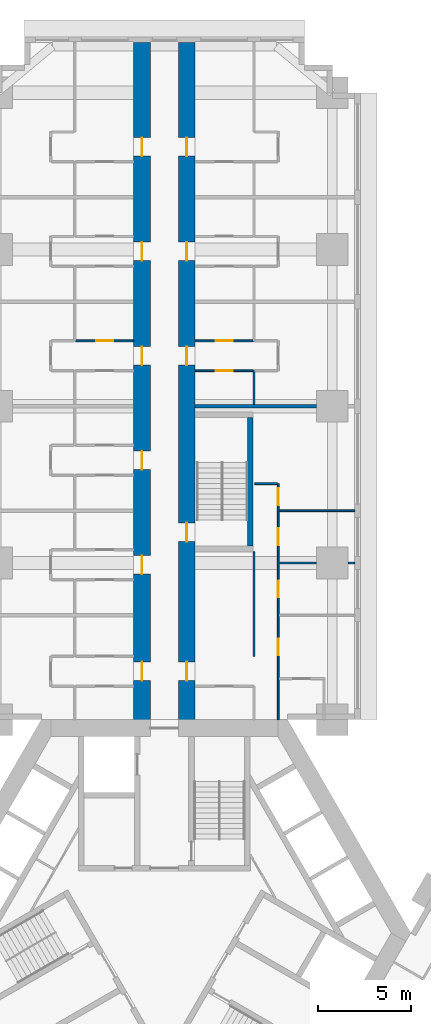
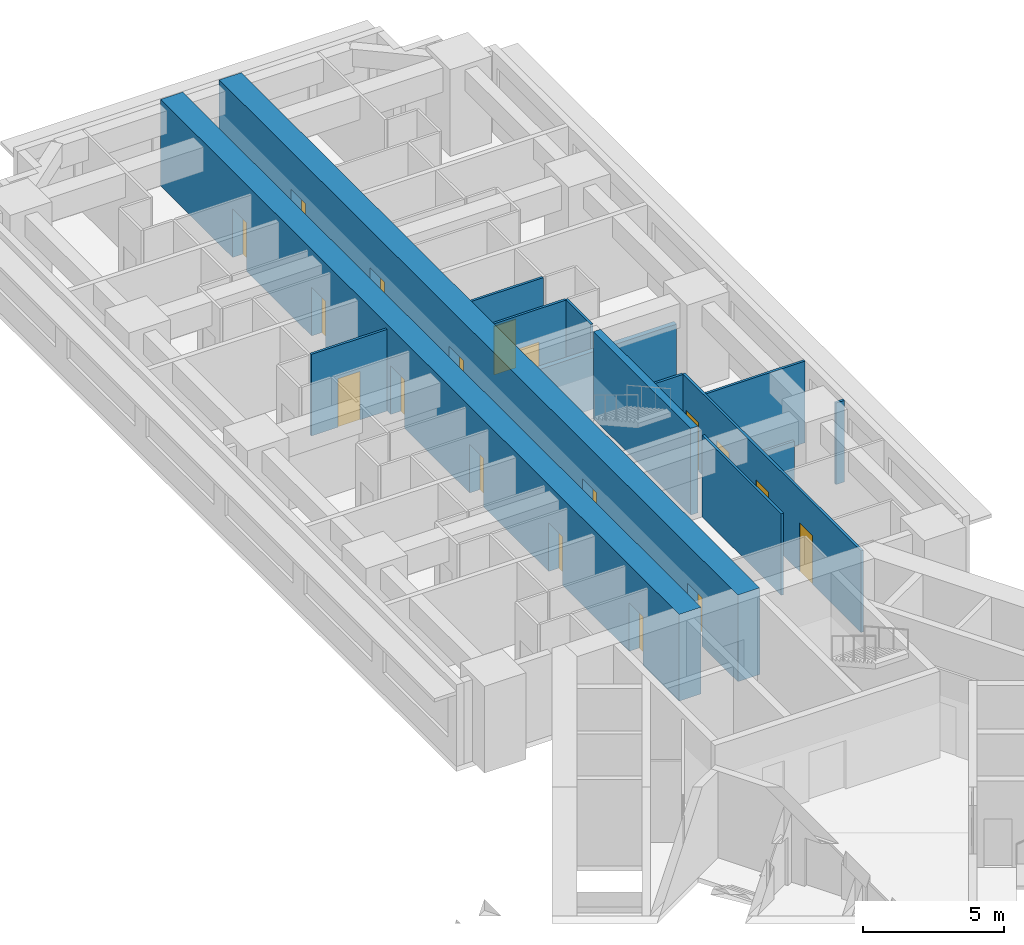
# One storey, part 10 of 17: 18 doors, 14 walls, 18 openings.
"""IFC4 building model written with IfcOpenShell, lengths in metres."""

from ifc_helpers import new_model, si_unit, direction, frame, frame_2d, origin, place, context, subcontext, project, spatial, rectangle, extrude, material, layer, layer_set, type_object, element, fill, save


model = new_model("IFC4")

# Units and contexts
model_context = context("Model", 3, precision=1e-05, world=origin(), true_north=direction((0.0, 1.0)))
body_context = subcontext(model_context, "Body", "Model", "MODEL_VIEW")
ifc_project = project(units=[si_unit("LENGTHUNIT", "METRE"), si_unit("AREAUNIT", "SQUARE_METRE"), si_unit("VOLUMEUNIT", "CUBIC_METRE"), si_unit("PLANEANGLEUNIT", "RADIAN"), si_unit("MASSUNIT", "GRAM", prefix="KILO")], contexts=[model_context])

# Site, building, storey
site_placement = place(None, origin())
site = spatial("IfcSite", under=ifc_project, at=site_placement, CompositionType="ELEMENT")
building_placement = place(site_placement, origin())
building = spatial("IfcBuilding", under=site, at=building_placement, Name="Impinga Residences", CompositionType="ELEMENT")
storey_placement = place(building_placement, frame((0.0, 0.0, 33.5)))
storey = spatial("IfcBuildingStorey", under=building, at=storey_placement, Name="L07", CompositionType="ELEMENT", Elevation=33.5)

# Wall, openings, doors
ifc_material_1 = material(Name="Concrete C70/85", Category="concrete")
ifc_layer_1 = layer(ifc_material_1, 0.89990234375)
ifc_layer_set_1 = layer_set([ifc_layer_1], Name="Concrete C70/85")
wall_type_1 = type_object("IfcWallType", Name="BW1 corridor buttress wall, L05 to L22 900", PredefinedType="SHEAR", material=ifc_layer_set_1)
wall_1_placement = place(storey_placement, frame((-1.199951171875, 10.9814453125, 0.0), z_axis=(0.0, 0.0, 1.0), x_axis=(0.0, 1.0, 0.0)))
wall_1 = element("IfcWall", 1, at=wall_1_placement, inside=storey, type_object=wall_type_1, Name="Corridor wall BW1 NC L07", PredefinedType="SHEAR", context=body_context, shape_type="SweptSolid", body=[
    extrude(rectangle(XDim=36.75, YDim=0.89990234375, at=frame_2d((18.375, 0.0))), origin(), (0.0, 0.0, 1.0), 3.75),
])
opening_1_placement = place(wall_1_placement, frame((2.550048828125, 0.0, 0.0)))
opening_1 = element("IfcOpeningElement", 2, at=opening_1_placement, cuts=wall_1, Name="Opening D1", PredefinedType="OPENING", context=body_context, shape_type="SweptSolid", body=[
    extrude(rectangle(XDim=1.0, YDim=2.10009765625, at=frame_2d((0.5, 1.050048828125))), frame((0.0, 0.4599609375, 0.0), z_axis=(0.0, -1.0, 0.0), x_axis=(1.0, 0.0, 0.0)), (0.0, 0.0, 1.0), 0.919921875),
])
opening_2_placement = place(wall_1_placement, frame((8.25, 0.0, 0.0)))
opening_2 = element("IfcOpeningElement", 3, at=opening_2_placement, cuts=wall_1, Name="Opening D1", PredefinedType="OPENING", context=body_context, shape_type="SweptSolid", body=[
    extrude(rectangle(XDim=1.0, YDim=2.10009765625, at=frame_2d((0.5, 1.050048828125))), frame((0.0, 0.4599609375, 0.0), z_axis=(0.0, -1.0, 0.0), x_axis=(1.0, 0.0, 0.0)), (0.0, 0.0, 1.0), 0.919921875),
])
opening_3_placement = place(wall_1_placement, frame((13.85009765625, 0.0, 0.0)))
opening_3 = element("IfcOpeningElement", 4, at=opening_3_placement, cuts=wall_1, Name="Opening D1", PredefinedType="OPENING", context=body_context, shape_type="SweptSolid", body=[
    extrude(rectangle(XDim=1.0, YDim=2.10009765625, at=frame_2d((0.5, 1.050048828125))), frame((0.0, 0.4599609375, 0.0), z_axis=(0.0, -1.0, 0.0), x_axis=(1.0, 0.0, 0.0)), (0.0, 0.0, 1.0), 0.919921875),
])
opening_4_placement = place(wall_1_placement, frame((19.449951171875, 0.0, 0.0)))
opening_4 = element("IfcOpeningElement", 5, at=opening_4_placement, cuts=wall_1, Name="Opening D1", PredefinedType="OPENING", context=body_context, shape_type="SweptSolid", body=[
    extrude(rectangle(XDim=1.0, YDim=2.10009765625, at=frame_2d((0.5, 1.050048828125))), frame((0.0, 0.4599609375, 0.0), z_axis=(0.0, -1.0, 0.0), x_axis=(1.0, 0.0, 0.0)), (0.0, 0.0, 1.0), 0.919921875),
])
opening_5_placement = place(wall_1_placement, frame((25.050048828125, 0.0, 0.0)))
opening_5 = element("IfcOpeningElement", 6, at=opening_5_placement, cuts=wall_1, Name="Opening D1", PredefinedType="OPENING", context=body_context, shape_type="SweptSolid", body=[
    extrude(rectangle(XDim=1.0, YDim=2.10009765625, at=frame_2d((0.5, 1.050048828125))), frame((0.0, 0.4599609375, 0.0), z_axis=(0.0, -1.0, 0.0), x_axis=(1.0, 0.0, 0.0)), (0.0, 0.0, 1.0), 0.919921875),
])
opening_6_placement = place(wall_1_placement, frame((30.64990234375, 0.0, 0.0)))
opening_6 = element("IfcOpeningElement", 7, at=opening_6_placement, cuts=wall_1, Name="Opening D1", PredefinedType="OPENING", context=body_context, shape_type="SweptSolid", body=[
    extrude(rectangle(XDim=1.0, YDim=2.10009765625, at=frame_2d((0.5, 1.050048828125))), frame((0.0, 0.4599609375, 0.0), z_axis=(0.0, -1.0, 0.0), x_axis=(1.0, 0.0, 0.0)), (0.0, 0.0, 1.0), 0.919921875),
])
ifc_material_2 = material(Name="Timber door set", Category="wood")
door_type_1 = type_object("IfcDoorType", Name="D1 apartment entrance door 1000x2100", OperationType="SINGLE_SWING_LEFT", PredefinedType="DOOR", material=ifc_material_2)
door_1_placement = place(opening_1_placement, origin())
door_1 = element("IfcDoor", 8, at=door_1_placement, inside=storey, type_object=door_type_1, Name="Apartment L07-NA1 entrance", OperationType="SINGLE_SWING_LEFT", OverallHeight=2.10009765625, OverallWidth=1.0, PredefinedType="DOOR", context=body_context, shape_type="SweptSolid", body=[
    extrude(rectangle(XDim=1.0, YDim=2.10009765625, at=frame_2d((0.5, 1.050048828125))), frame((0.0, 0.02490234375, 0.0), z_axis=(0.0, -1.0, 0.0), x_axis=(1.0, 0.0, 0.0)), (0.0, 0.0, 1.0), 0.050048828125),
])
fill(opening_1, door_1)
door_2_placement = place(opening_2_placement, origin())
door_2 = element("IfcDoor", 9, at=door_2_placement, inside=storey, type_object=door_type_1, Name="Apartment L07-NA2 entrance", OperationType="SINGLE_SWING_LEFT", OverallHeight=2.10009765625, OverallWidth=1.0, PredefinedType="DOOR", context=body_context, shape_type="SweptSolid", body=[
    extrude(rectangle(XDim=1.0, YDim=2.10009765625, at=frame_2d((0.5, 1.050048828125))), frame((0.0, 0.02490234375, 0.0), z_axis=(0.0, -1.0, 0.0), x_axis=(1.0, 0.0, 0.0)), (0.0, 0.0, 1.0), 0.050048828125),
])
fill(opening_2, door_2)
door_3_placement = place(opening_3_placement, origin())
door_3 = element("IfcDoor", 10, at=door_3_placement, inside=storey, type_object=door_type_1, Name="Apartment L07-NA3 entrance", OperationType="SINGLE_SWING_LEFT", OverallHeight=2.10009765625, OverallWidth=1.0, PredefinedType="DOOR", context=body_context, shape_type="SweptSolid", body=[
    extrude(rectangle(XDim=1.0, YDim=2.10009765625, at=frame_2d((0.5, 1.050048828125))), frame((0.0, 0.02490234375, 0.0), z_axis=(0.0, -1.0, 0.0), x_axis=(1.0, 0.0, 0.0)), (0.0, 0.0, 1.0), 0.050048828125),
])
fill(opening_3, door_3)
door_4_placement = place(opening_4_placement, origin())
door_4 = element("IfcDoor", 11, at=door_4_placement, inside=storey, type_object=door_type_1, Name="Apartment L07-NA4 entrance", OperationType="SINGLE_SWING_RIGHT", OverallHeight=2.10009765625, OverallWidth=1.0, PredefinedType="DOOR", context=body_context, shape_type="SweptSolid", body=[
    extrude(rectangle(XDim=1.0, YDim=2.10009765625, at=frame_2d((0.5, 1.050048828125))), frame((0.0, 0.02490234375, 0.0), z_axis=(0.0, -1.0, 0.0), x_axis=(1.0, 0.0, 0.0)), (0.0, 0.0, 1.0), 0.050048828125),
])
fill(opening_4, door_4)
door_5_placement = place(opening_5_placement, origin())
door_5 = element("IfcDoor", 12, at=door_5_placement, inside=storey, type_object=door_type_1, Name="Apartment L07-NA5 entrance", OperationType="SINGLE_SWING_RIGHT", OverallHeight=2.10009765625, OverallWidth=1.0, PredefinedType="DOOR", context=body_context, shape_type="SweptSolid", body=[
    extrude(rectangle(XDim=1.0, YDim=2.10009765625, at=frame_2d((0.5, 1.050048828125))), frame((0.0, 0.02490234375, 0.0), z_axis=(0.0, -1.0, 0.0), x_axis=(1.0, 0.0, 0.0)), (0.0, 0.0, 1.0), 0.050048828125),
])
fill(opening_5, door_5)
door_6_placement = place(opening_6_placement, origin())
door_6 = element("IfcDoor", 13, at=door_6_placement, inside=storey, type_object=door_type_1, Name="Apartment L07-NA6 entrance", OperationType="SINGLE_SWING_RIGHT", OverallHeight=2.10009765625, OverallWidth=1.0, PredefinedType="DOOR", context=body_context, shape_type="SweptSolid", body=[
    extrude(rectangle(XDim=1.0, YDim=2.10009765625, at=frame_2d((0.5, 1.050048828125))), frame((0.0, 0.02490234375, 0.0), z_axis=(0.0, -1.0, 0.0), x_axis=(1.0, 0.0, 0.0)), (0.0, 0.0, 1.0), 0.050048828125),
])
fill(opening_6, door_6)

wall_2_placement = place(storey_placement, frame((1.199951171875, 10.9814453125, 0.0), z_axis=(0.0, 0.0, 1.0), x_axis=(0.0, 1.0, 0.0)))
wall_2 = element("IfcWall", 14, at=wall_2_placement, inside=storey, type_object=wall_type_1, Name="Corridor wall BW1 ND L07", PredefinedType="SHEAR", context=body_context, shape_type="SweptSolid", body=[
    extrude(rectangle(XDim=36.75, YDim=0.89990234375, at=frame_2d((18.375, 0.0))), origin(), (0.0, 0.0, 1.0), 3.75),
])
opening_7_placement = place(wall_2_placement, frame((10.0, 0.0, 0.0)))
opening_7 = element("IfcOpeningElement", 15, at=opening_7_placement, cuts=wall_2, Name="Opening D5", PredefinedType="OPENING", context=body_context, shape_type="SweptSolid", body=[
    extrude(rectangle(XDim=1.0, YDim=2.10009765625, at=frame_2d((0.5, 1.050048828125))), frame((0.0, 0.4599609375, 0.0), z_axis=(0.0, -1.0, 0.0), x_axis=(1.0, 0.0, 0.0)), (0.0, 0.0, 1.0), 0.919921875),
])
opening_8_placement = place(wall_2_placement, frame((2.550048828125, 0.0, 0.0)))
opening_8 = element("IfcOpeningElement", 16, at=opening_8_placement, cuts=wall_2, Name="Opening D1", PredefinedType="OPENING", context=body_context, shape_type="SweptSolid", body=[
    extrude(rectangle(XDim=1.0, YDim=2.10009765625, at=frame_2d((0.5, 1.050048828125))), frame((0.0, 0.4599609375, 0.0), z_axis=(0.0, -1.0, 0.0), x_axis=(1.0, 0.0, 0.0)), (0.0, 0.0, 1.0), 0.919921875),
])
opening_9_placement = place(wall_2_placement, frame((19.449951171875, 0.0, 0.0)))
opening_9 = element("IfcOpeningElement", 17, at=opening_9_placement, cuts=wall_2, Name="Opening D1", PredefinedType="OPENING", context=body_context, shape_type="SweptSolid", body=[
    extrude(rectangle(XDim=1.0, YDim=2.10009765625, at=frame_2d((0.5, 1.050048828125))), frame((0.0, 0.4599609375, 0.0), z_axis=(0.0, -1.0, 0.0), x_axis=(1.0, 0.0, 0.0)), (0.0, 0.0, 1.0), 0.919921875),
])
opening_10_placement = place(wall_2_placement, frame((25.050048828125, 0.0, 0.0)))
opening_10 = element("IfcOpeningElement", 18, at=opening_10_placement, cuts=wall_2, Name="Opening D1", PredefinedType="OPENING", context=body_context, shape_type="SweptSolid", body=[
    extrude(rectangle(XDim=1.0, YDim=2.10009765625, at=frame_2d((0.5, 1.050048828125))), frame((0.0, 0.4599609375, 0.0), z_axis=(0.0, -1.0, 0.0), x_axis=(1.0, 0.0, 0.0)), (0.0, 0.0, 1.0), 0.919921875),
])
opening_11_placement = place(wall_2_placement, frame((30.64990234375, 0.0, 0.0)))
opening_11 = element("IfcOpeningElement", 19, at=opening_11_placement, cuts=wall_2, Name="Opening D1", PredefinedType="OPENING", context=body_context, shape_type="SweptSolid", body=[
    extrude(rectangle(XDim=1.0, YDim=2.10009765625, at=frame_2d((0.5, 1.050048828125))), frame((0.0, 0.4599609375, 0.0), z_axis=(0.0, -1.0, 0.0), x_axis=(1.0, 0.0, 0.0)), (0.0, 0.0, 1.0), 0.919921875),
])
door_7_placement = place(opening_8_placement, origin())
door_7 = element("IfcDoor", 20, at=door_7_placement, inside=storey, type_object=door_type_1, Name="Apartment L07-NF1 entrance", OperationType="SINGLE_SWING_LEFT", OverallHeight=2.10009765625, OverallWidth=1.0, PredefinedType="DOOR", context=body_context, shape_type="SweptSolid", body=[
    extrude(rectangle(XDim=1.0, YDim=2.10009765625, at=frame_2d((0.5, 1.050048828125))), frame((0.0, 0.02490234375, 0.0), z_axis=(0.0, -1.0, 0.0), x_axis=(1.0, 0.0, 0.0)), (0.0, 0.0, 1.0), 0.050048828125),
])
fill(opening_8, door_7)
door_8_placement = place(opening_9_placement, origin())
door_8 = element("IfcDoor", 21, at=door_8_placement, inside=storey, type_object=door_type_1, Name="Apartment L07-NF2 entrance", OperationType="SINGLE_SWING_RIGHT", OverallHeight=2.10009765625, OverallWidth=1.0, PredefinedType="DOOR", context=body_context, shape_type="SweptSolid", body=[
    extrude(rectangle(XDim=1.0, YDim=2.10009765625, at=frame_2d((0.5, 1.050048828125))), frame((0.0, 0.02490234375, 0.0), z_axis=(0.0, -1.0, 0.0), x_axis=(1.0, 0.0, 0.0)), (0.0, 0.0, 1.0), 0.050048828125),
])
fill(opening_9, door_8)
door_9_placement = place(opening_10_placement, origin())
door_9 = element("IfcDoor", 22, at=door_9_placement, inside=storey, type_object=door_type_1, Name="Apartment L07-NF3 entrance", OperationType="SINGLE_SWING_RIGHT", OverallHeight=2.10009765625, OverallWidth=1.0, PredefinedType="DOOR", context=body_context, shape_type="SweptSolid", body=[
    extrude(rectangle(XDim=1.0, YDim=2.10009765625, at=frame_2d((0.5, 1.050048828125))), frame((0.0, 0.02490234375, 0.0), z_axis=(0.0, -1.0, 0.0), x_axis=(1.0, 0.0, 0.0)), (0.0, 0.0, 1.0), 0.050048828125),
])
fill(opening_10, door_9)
door_10_placement = place(opening_11_placement, origin())
door_10 = element("IfcDoor", 23, at=door_10_placement, inside=storey, type_object=door_type_1, Name="Apartment L07-NF4 entrance", OperationType="SINGLE_SWING_RIGHT", OverallHeight=2.10009765625, OverallWidth=1.0, PredefinedType="DOOR", context=body_context, shape_type="SweptSolid", body=[
    extrude(rectangle(XDim=1.0, YDim=2.10009765625, at=frame_2d((0.5, 1.050048828125))), frame((0.0, 0.02490234375, 0.0), z_axis=(0.0, -1.0, 0.0), x_axis=(1.0, 0.0, 0.0)), (0.0, 0.0, 1.0), 0.050048828125),
])
fill(opening_11, door_10)
door_type_2 = type_object("IfcDoorType", Name="D5 stair door 1000x2100", OperationType="SINGLE_SWING_LEFT", PredefinedType="DOOR", material=ifc_material_2)
door_11_placement = place(opening_7_placement, origin())
door_11 = element("IfcDoor", 24, at=door_11_placement, inside=storey, type_object=door_type_2, Name="Wing stair door N", OperationType="SINGLE_SWING_LEFT", OverallHeight=2.10009765625, OverallWidth=1.0, PredefinedType="DOOR", context=body_context, shape_type="SweptSolid", body=[
    extrude(rectangle(XDim=1.0, YDim=2.10009765625, at=frame_2d((0.5, 1.050048828125))), frame((0.0, 0.02490234375, 0.0), z_axis=(0.0, -1.0, 0.0), x_axis=(1.0, 0.0, 0.0)), (0.0, 0.0, 1.0), 0.050048828125),
])
fill(opening_7, door_11)

# Wall, opening, door
ifc_material_3 = material(Name="Gypsum board on steel studs", Category="steel")
ifc_layer_2 = layer(ifc_material_3, 0.10009765625)
ifc_layer_set_2 = layer_set([ifc_layer_2], Name="Gypsum board on steel studs")
wall_type_2 = type_object("IfcWallType", Name="IP1 partition 100", PredefinedType="PARTITIONING", material=ifc_layer_set_2)
wall_3_placement = place(storey_placement, frame((-1.64990234375, 31.7314453125, 0.0), z_axis=(0.0, 0.0, 1.0), x_axis=(-1.0, 0.0, 0.0)))
wall_3 = element("IfcWall", 25, at=wall_3_placement, inside=storey, type_object=wall_type_2, Name="Partition L07-NA4:IB2", PredefinedType="PARTITIONING", context=body_context, shape_type="SweptSolid", body=[
    extrude(rectangle(XDim=3.10009765625, YDim=0.10009765625, at=frame_2d((1.550048828125, 0.0))), origin(), (0.0, 0.0, 1.0), 3.530029296875),
])
opening_12_placement = place(wall_3_placement, frame((1.10009765625, 0.0, 0.0)))
opening_12 = element("IfcOpeningElement", 26, at=opening_12_placement, cuts=wall_3, Name="Opening D2", PredefinedType="OPENING", context=body_context, shape_type="SweptSolid", body=[
    extrude(rectangle(XDim=0.89990234375, YDim=2.10009765625, at=frame_2d((0.449951171875, 1.050048828125))), frame((0.0, 0.06005859375, 0.0), z_axis=(0.0, -1.0, 0.0), x_axis=(1.0, 0.0, 0.0)), (0.0, 0.0, 1.0), 0.1201171875),
])
door_type_3 = type_object("IfcDoorType", Name="D2 internal door 900x2100", OperationType="SINGLE_SWING_LEFT", PredefinedType="DOOR", material=ifc_material_2)
door_12_placement = place(opening_12_placement, origin())
door_12 = element("IfcDoor", 27, at=door_12_placement, inside=storey, type_object=door_type_3, Name="Apartment L07-NA4 WC door", OperationType="SINGLE_SWING_LEFT", OverallHeight=2.10009765625, OverallWidth=0.89990234375, PredefinedType="DOOR", context=body_context, shape_type="SweptSolid", body=[
    extrude(rectangle(XDim=0.89990234375, YDim=2.10009765625, at=frame_2d((0.449951171875, 1.050048828125))), frame((0.0, 0.02490234375, 0.0), z_axis=(0.0, -1.0, 0.0), x_axis=(1.0, 0.0, 0.0)), (0.0, 0.0, 1.0), 0.050048828125),
])
fill(opening_12, door_12)

# Wall
wall_4_placement = place(storey_placement, frame((4.800048828125, 14.83154296875, 0.0), z_axis=(0.0, 0.0, 1.0), x_axis=(0.0, 1.0, 0.0)))
element("IfcWall", 28, at=wall_4_placement, inside=storey, type_object=wall_type_2, Name="Partition L07-NF1:DIV1", PredefinedType="PARTITIONING", context=body_context, shape_type="SweptSolid", body=[
    extrude(rectangle(XDim=5.60009765625, YDim=0.10009765625, at=frame_2d((2.800048828125, 0.0))), origin(), (0.0, 0.0, 1.0), 3.530029296875),
])

# Wall, openings, doors
wall_5_placement = place(storey_placement, frame((6.10009765625, 11.431640625, 0.0), z_axis=(0.0, 0.0, 1.0), x_axis=(0.0, 1.0, 0.0)))
wall_5 = element("IfcWall", 29, at=wall_5_placement, inside=storey, type_object=wall_type_2, Name="Partition L07-NF1:STRIP", PredefinedType="PARTITIONING", context=body_context, shape_type="SweptSolid", body=[
    extrude(rectangle(XDim=12.64990234375, YDim=0.10009765625, at=frame_2d((6.324951171875, 0.0))), origin(), (0.0, 0.0, 1.0), 3.530029296875),
])
opening_13_placement = place(wall_5_placement, frame((3.449951171875, 0.0, 0.0)))
opening_13 = element("IfcOpeningElement", 30, at=opening_13_placement, cuts=wall_5, Name="Opening D2", PredefinedType="OPENING", context=body_context, shape_type="SweptSolid", body=[
    extrude(rectangle(XDim=0.89990234375, YDim=2.10009765625, at=frame_2d((0.449951171875, 1.050048828125))), frame((0.0, 0.06005859375, 0.0), z_axis=(0.0, -1.0, 0.0), x_axis=(1.0, 0.0, 0.0)), (0.0, 0.0, 1.0), 0.1201171875),
])
opening_14_placement = place(wall_5_placement, frame((6.550048828125, 0.0, 0.0)))
opening_14 = element("IfcOpeningElement", 31, at=opening_14_placement, cuts=wall_5, Name="Opening D2", PredefinedType="OPENING", context=body_context, shape_type="SweptSolid", body=[
    extrude(rectangle(XDim=0.89990234375, YDim=2.10009765625, at=frame_2d((0.449951171875, 1.050048828125))), frame((0.0, 0.06005859375, 0.0), z_axis=(0.0, -1.0, 0.0), x_axis=(1.0, 0.0, 0.0)), (0.0, 0.0, 1.0), 0.1201171875),
])
opening_15_placement = place(wall_5_placement, frame((9.35009765625, 0.0, 0.0)))
opening_15 = element("IfcOpeningElement", 32, at=opening_15_placement, cuts=wall_5, Name="Opening D2", PredefinedType="OPENING", context=body_context, shape_type="SweptSolid", body=[
    extrude(rectangle(XDim=0.89990234375, YDim=2.10009765625, at=frame_2d((0.449951171875, 1.050048828125))), frame((0.0, 0.06005859375, 0.0), z_axis=(0.0, -1.0, 0.0), x_axis=(1.0, 0.0, 0.0)), (0.0, 0.0, 1.0), 0.1201171875),
])
opening_16_placement = place(wall_5_placement, frame((11.5, 0.0, 0.0)))
opening_16 = element("IfcOpeningElement", 33, at=opening_16_placement, cuts=wall_5, Name="Opening D2", PredefinedType="OPENING", context=body_context, shape_type="SweptSolid", body=[
    extrude(rectangle(XDim=0.89990234375, YDim=2.10009765625, at=frame_2d((0.449951171875, 1.050048828125))), frame((0.0, 0.06005859375, 0.0), z_axis=(0.0, -1.0, 0.0), x_axis=(1.0, 0.0, 0.0)), (0.0, 0.0, 1.0), 0.1201171875),
])
door_13_placement = place(opening_13_placement, origin())
door_13 = element("IfcDoor", 34, at=door_13_placement, inside=storey, type_object=door_type_3, Name="Apartment L07-NF1 room door", OperationType="SINGLE_SWING_LEFT", OverallHeight=2.10009765625, OverallWidth=0.89990234375, PredefinedType="DOOR", context=body_context, shape_type="SweptSolid", body=[
    extrude(rectangle(XDim=0.89990234375, YDim=2.10009765625, at=frame_2d((0.449951171875, 1.050048828125))), frame((0.0, 0.02490234375, 0.0), z_axis=(0.0, -1.0, 0.0), x_axis=(1.0, 0.0, 0.0)), (0.0, 0.0, 1.0), 0.050048828125),
])
fill(opening_13, door_13)
door_14_placement = place(opening_14_placement, origin())
door_14 = element("IfcDoor", 35, at=door_14_placement, inside=storey, type_object=door_type_3, Name="Apartment L07-NF1 room door", OperationType="SINGLE_SWING_RIGHT", OverallHeight=2.10009765625, OverallWidth=0.89990234375, PredefinedType="DOOR", context=body_context, shape_type="SweptSolid", body=[
    extrude(rectangle(XDim=0.89990234375, YDim=2.10009765625, at=frame_2d((0.449951171875, 1.050048828125))), frame((0.0, 0.02490234375, 0.0), z_axis=(0.0, -1.0, 0.0), x_axis=(1.0, 0.0, 0.0)), (0.0, 0.0, 1.0), 0.050048828125),
])
fill(opening_14, door_14)
door_15_placement = place(opening_15_placement, origin())
door_15 = element("IfcDoor", 36, at=door_15_placement, inside=storey, type_object=door_type_3, Name="Apartment L07-NF1 room door", OperationType="SINGLE_SWING_RIGHT", OverallHeight=2.10009765625, OverallWidth=0.89990234375, PredefinedType="DOOR", context=body_context, shape_type="SweptSolid", body=[
    extrude(rectangle(XDim=0.89990234375, YDim=2.10009765625, at=frame_2d((0.449951171875, 1.050048828125))), frame((0.0, 0.02490234375, 0.0), z_axis=(0.0, -1.0, 0.0), x_axis=(1.0, 0.0, 0.0)), (0.0, 0.0, 1.0), 0.050048828125),
])
fill(opening_15, door_15)
door_16_placement = place(opening_16_placement, origin())
door_16 = element("IfcDoor", 37, at=door_16_placement, inside=storey, type_object=door_type_3, Name="Apartment L07-NF1 room door", OperationType="SINGLE_SWING_RIGHT", OverallHeight=2.10009765625, OverallWidth=0.89990234375, PredefinedType="DOOR", context=body_context, shape_type="SweptSolid", body=[
    extrude(rectangle(XDim=0.89990234375, YDim=2.10009765625, at=frame_2d((0.449951171875, 1.050048828125))), frame((0.0, 0.02490234375, 0.0), z_axis=(0.0, -1.0, 0.0), x_axis=(1.0, 0.0, 0.0)), (0.0, 0.0, 1.0), 0.050048828125),
])
fill(opening_16, door_16)

# Walls
wall_6_placement = place(storey_placement, frame((4.85009765625, 24.08154296875, 0.0), z_axis=(0.0, 0.0, 1.0), x_axis=(1.0, 0.0, 0.0)))
element("IfcWall", 38, at=wall_6_placement, inside=storey, type_object=wall_type_2, Name="Partition L07-NF1:SE1", PredefinedType="PARTITIONING", context=body_context, shape_type="SweptSolid", body=[
    extrude(rectangle(XDim=1.199951171875, YDim=0.10009765625, at=frame_2d((0.60009765625, 0.0))), origin(), (0.0, 0.0, 1.0), 3.530029296875),
])
wall_7_placement = place(storey_placement, frame((6.14990234375, 19.83154296875, 0.0), z_axis=(0.0, 0.0, 1.0), x_axis=(1.0, 0.0, 0.0)))
element("IfcWall", 39, at=wall_7_placement, inside=storey, type_object=wall_type_2, Name="Partition L07-NF1:OB2", PredefinedType="PARTITIONING", context=body_context, shape_type="SweptSolid", body=[
    extrude(rectangle(XDim=2.0, YDim=0.10009765625, at=frame_2d((1.0, 0.0))), origin(), (0.0, 0.0, 1.0), 2.47998046875),
])
wall_8_placement = place(storey_placement, frame((9.85009765625, 19.83154296875, 0.0), z_axis=(0.0, 0.0, 1.0), x_axis=(1.0, 0.0, 0.0)))
element("IfcWall", 40, at=wall_8_placement, inside=storey, type_object=wall_type_2, Name="Partition L07-NF1:OB2b", PredefinedType="PARTITIONING", context=body_context, shape_type="SweptSolid", body=[
    extrude(rectangle(XDim=0.349853515625, YDim=0.10009765625, at=frame_2d((0.1748046875, 0.0))), origin(), (0.0, 0.0, 1.0), 3.530029296875),
])
wall_9_placement = place(storey_placement, frame((6.14990234375, 22.631591796875, 0.0), z_axis=(0.0, 0.0, 1.0), x_axis=(1.0, 0.0, 0.0)))
element("IfcWall", 41, at=wall_9_placement, inside=storey, type_object=wall_type_2, Name="Partition L07-NF1:OB3", PredefinedType="PARTITIONING", context=body_context, shape_type="SweptSolid", body=[
    extrude(rectangle(XDim=4.050048828125, YDim=0.10009765625, at=frame_2d((2.02490234375, 0.0))), origin(), (0.0, 0.0, 1.0), 3.530029296875),
])
wall_10_placement = place(storey_placement, frame((4.800048828125, 28.33154296875, 0.0), z_axis=(0.0, 0.0, 1.0), x_axis=(0.0, 1.0, 0.0)))
element("IfcWall", 42, at=wall_10_placement, inside=storey, type_object=wall_type_2, Name="Partition L07-NF2:DIV0", PredefinedType="PARTITIONING", context=body_context, shape_type="SweptSolid", body=[
    extrude(rectangle(XDim=1.800048828125, YDim=0.10009765625, at=frame_2d((0.89990234375, 0.0))), origin(), (0.0, 0.0, 1.0), 3.530029296875),
])

# Wall, opening, door
wall_11_placement = place(storey_placement, frame((1.64990234375, 30.131591796875, 0.0), z_axis=(0.0, 0.0, 1.0), x_axis=(1.0, 0.0, 0.0)))
wall_11 = element("IfcWall", 43, at=wall_11_placement, inside=storey, type_object=wall_type_2, Name="Partition L07-NF2:IB1", PredefinedType="PARTITIONING", context=body_context, shape_type="SweptSolid", body=[
    extrude(rectangle(XDim=3.10009765625, YDim=0.10009765625, at=frame_2d((1.550048828125, 0.0))), origin(), (0.0, 0.0, 1.0), 3.530029296875),
])
opening_17_placement = place(wall_11_placement, frame((1.10009765625, 0.0, 0.0)))
opening_17 = element("IfcOpeningElement", 44, at=opening_17_placement, cuts=wall_11, Name="Opening D2", PredefinedType="OPENING", context=body_context, shape_type="SweptSolid", body=[
    extrude(rectangle(XDim=0.89990234375, YDim=2.10009765625, at=frame_2d((0.449951171875, 1.050048828125))), frame((0.0, 0.06005859375, 0.0), z_axis=(0.0, -1.0, 0.0), x_axis=(1.0, 0.0, 0.0)), (0.0, 0.0, 1.0), 0.1201171875),
])
door_17_placement = place(opening_17_placement, origin())
door_17 = element("IfcDoor", 45, at=door_17_placement, inside=storey, type_object=door_type_3, Name="Apartment L07-NF2 bathroom door", OperationType="SINGLE_SWING_LEFT", OverallHeight=2.10009765625, OverallWidth=0.89990234375, PredefinedType="DOOR", context=body_context, shape_type="SweptSolid", body=[
    extrude(rectangle(XDim=0.89990234375, YDim=2.10009765625, at=frame_2d((0.449951171875, 1.050048828125))), frame((0.0, 0.02490234375, 0.0), z_axis=(0.0, -1.0, 0.0), x_axis=(1.0, 0.0, 0.0)), (0.0, 0.0, 1.0), 0.050048828125),
])
fill(opening_17, door_17)

wall_12_placement = place(storey_placement, frame((1.64990234375, 31.7314453125, 0.0), z_axis=(0.0, 0.0, 1.0), x_axis=(1.0, 0.0, 0.0)))
wall_12 = element("IfcWall", 46, at=wall_12_placement, inside=storey, type_object=wall_type_2, Name="Partition L07-NF2:IB2", PredefinedType="PARTITIONING", context=body_context, shape_type="SweptSolid", body=[
    extrude(rectangle(XDim=3.10009765625, YDim=0.10009765625, at=frame_2d((1.550048828125, 0.0))), origin(), (0.0, 0.0, 1.0), 3.530029296875),
])
opening_18_placement = place(wall_12_placement, frame((1.10009765625, 0.0, 0.0)))
opening_18 = element("IfcOpeningElement", 47, at=opening_18_placement, cuts=wall_12, Name="Opening D2", PredefinedType="OPENING", context=body_context, shape_type="SweptSolid", body=[
    extrude(rectangle(XDim=0.89990234375, YDim=2.10009765625, at=frame_2d((0.449951171875, 1.050048828125))), frame((0.0, 0.06005859375, 0.0), z_axis=(0.0, -1.0, 0.0), x_axis=(1.0, 0.0, 0.0)), (0.0, 0.0, 1.0), 0.1201171875),
])
door_18_placement = place(opening_18_placement, origin())
door_18 = element("IfcDoor", 48, at=door_18_placement, inside=storey, type_object=door_type_3, Name="Apartment L07-NF2 WC door", OperationType="SINGLE_SWING_LEFT", OverallHeight=2.10009765625, OverallWidth=0.89990234375, PredefinedType="DOOR", context=body_context, shape_type="SweptSolid", body=[
    extrude(rectangle(XDim=0.89990234375, YDim=2.10009765625, at=frame_2d((0.449951171875, 1.050048828125))), frame((0.0, 0.02490234375, 0.0), z_axis=(0.0, -1.0, 0.0), x_axis=(1.0, 0.0, 0.0)), (0.0, 0.0, 1.0), 0.050048828125),
])
fill(opening_18, door_18)

# Walls
ifc_material_4 = material(Name="Concrete blockwork", Category="masonry")
ifc_layer_3 = layer(ifc_material_4, 0.199951171875)
ifc_layer_set_3 = layer_set([ifc_layer_3], Name="PW1 party wall between apartments 200")
wall_type_3 = type_object("IfcWallType", Name="PW1 party wall between apartments 200", PredefinedType="SOLIDWALL", material=ifc_layer_set_3)
wall_13_placement = place(storey_placement, frame((1.64990234375, 28.2314453125, 0.0), z_axis=(0.0, 0.0, 1.0), x_axis=(1.0, 0.0, 0.0)))
element("IfcWall", 49, at=wall_13_placement, inside=storey, type_object=wall_type_3, Name="Party wall between apartments L07-NF1:PARTY", PredefinedType="SOLIDWALL", context=body_context, shape_type="SweptSolid", body=[
    extrude(rectangle(XDim=6.5, YDim=0.199951171875, at=frame_2d((3.25, 0.0))), origin(), (0.0, 0.0, 1.0), 2.47998046875),
])
ifc_material_5 = material(Name="Concrete C60/75", Category="concrete")
ifc_layer_4 = layer(ifc_material_5, 0.300048828125)
ifc_layer_set_4 = layer_set([ifc_layer_4], Name="Concrete C60/75")
wall_type_4 = type_object("IfcWallType", Name="SE1 wing stair enclosure wall 300", PredefinedType="SOLIDWALL", material=ifc_layer_set_4)
wall_14_placement = place(storey_placement, frame((4.60009765625, 20.7314453125, 0.0), z_axis=(0.0, 0.0, 1.0), x_axis=(0.0, 1.0, 0.0)))
element("IfcWall", 50, at=wall_14_placement, inside=storey, type_object=wall_type_4, Name="Stair enclosure wall SE1 N OUT L07", PredefinedType="SOLIDWALL", context=body_context, shape_type="SweptSolid", body=[
    extrude(rectangle(XDim=6.900146484375, YDim=0.300048828125, at=frame_2d((3.4501953125, 0.0))), origin(), (0.0, 0.0, 1.0), 3.75),
])

save(model, "model.ifc")
